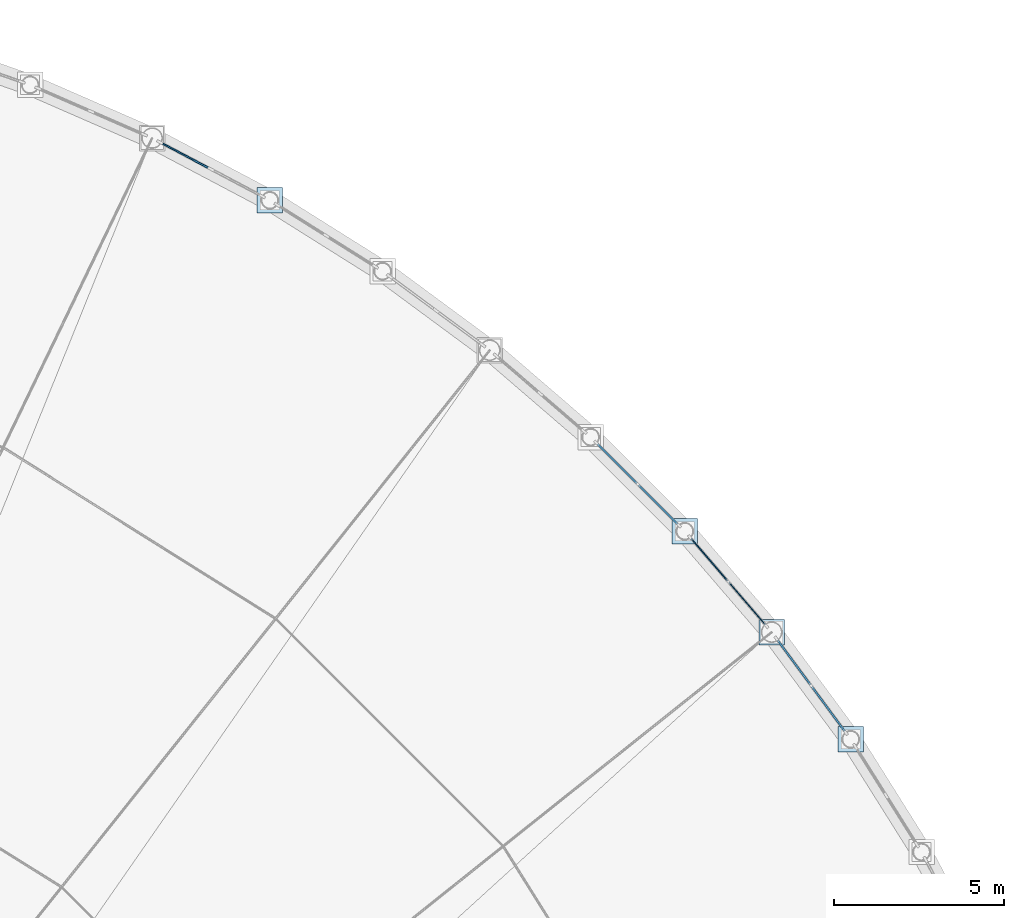
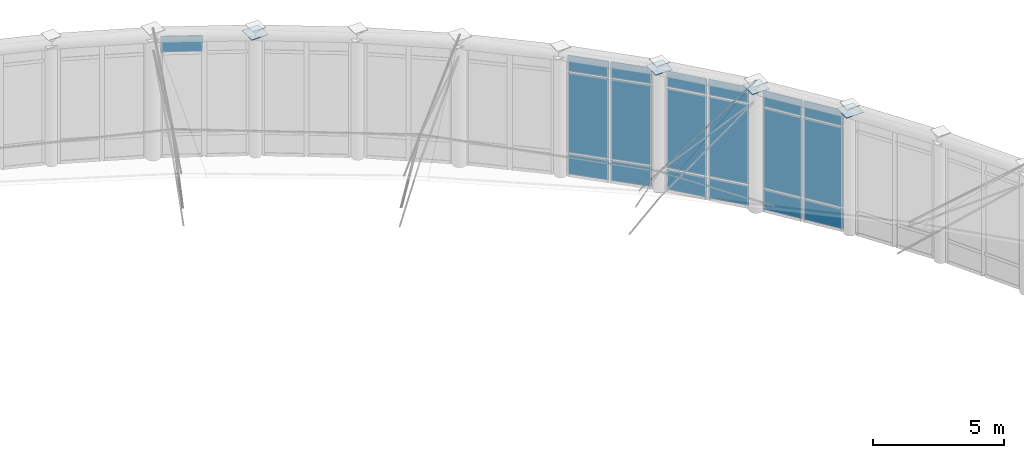
# One storey, part 74 of 101: 23 plates, 4 elements without a shape of their own.
"""IFC4 building model written with IfcOpenShell, lengths in metres."""

from ifc_helpers import new_model, si_unit, direction, frame, origin, origin_2d, place, context, subcontext, project, spatial, rectangle, extrude, material, layer, layer_set, type_object, element, aggregate, save


model = new_model("IFC4")

# Units and contexts
model_context = context("Model", 3, precision=1e-05, world=origin(), true_north=direction((0.0, 1.0)))
body_context = subcontext(model_context, "Body", "Model", "MODEL_VIEW")
ifc_project = project(units=[si_unit("LENGTHUNIT", "METRE"), si_unit("AREAUNIT", "SQUARE_METRE"), si_unit("VOLUMEUNIT", "CUBIC_METRE"), si_unit("PLANEANGLEUNIT", "RADIAN"), si_unit("MASSUNIT", "GRAM", prefix="KILO"), si_unit("THERMODYNAMICTEMPERATUREUNIT", "KELVIN"), si_unit("POWERUNIT", "WATT")], contexts=[model_context])

# Site, building, storey
site_placement = place(None, origin())
site = spatial("IfcSite", under=ifc_project, at=site_placement, CompositionType="ELEMENT")
building_placement = place(site_placement, origin())
building = spatial("IfcBuilding", under=site, at=building_placement, Name="Tembeka Court Mobility Hub", CompositionType="ELEMENT")
storey_placement = place(building_placement, frame((0.0, 0.0, 5.39990234375)))
storey = spatial("IfcBuildingStorey", under=building, at=storey_placement, Name="L01", CompositionType="ELEMENT", Elevation=5.39990234375)

# Curtain wall, plates
ifc_material_1 = material(Name="Anodised aluminium 6063-T6", Category="aluminium")
ifc_layer_1 = layer(ifc_material_1, 0.199951171875)
ifc_layer_set_1 = layer_set([ifc_layer_1], Name="Anodised aluminium 6063-T6")
curtain_wall_type = type_object("IfcCurtainWallType", Name="CW-SYS25", PredefinedType="USERDEFINED", material=ifc_layer_set_1)
curtain_wall_1_placement = place(storey_placement, origin())
curtain_wall_1 = element("IfcCurtainWall", 1, at=curtain_wall_1_placement, inside=storey, type_object=curtain_wall_type, Name="Unitised curtain wall CW25 (CW-L01-062)", ObjectType="UNITISED GLAZING", PredefinedType="USERDEFINED")
ifc_material_2 = material(Name="Laminated solar-control low-E glass", Category="glass")
ifc_layer_2 = layer(ifc_material_2, 0.028076171875)
ifc_layer_set_2 = layer_set([ifc_layer_2], Name="Laminated solar-control low-E glass")
plate_type_1 = type_object("IfcPlateType", Name="PL-CW01", PredefinedType="CURTAIN_PANEL", material=ifc_layer_set_2)
plate_1_placement = place(storey_placement, frame((164.221923828125, 99.874755859375, 0.0751953125), z_axis=(0.0, 0.0, 1.0), x_axis=(-0.652306690707, 0.757955131428, 0.0)))
plate_1 = element("IfcPlate", 2, at=plate_1_placement, type_object=plate_type_1, Name="CW25 panel 1.1", PredefinedType="CURTAIN_PANEL", context=body_context, shape_type="SweptSolid", body=[
    extrude(rectangle(XDim=1.630615234375, YDim=0.028076171875, at=origin_2d()), origin(), (0.0, 0.0, 1.0), 0.9375),
])
plate_2_placement = place(storey_placement, frame((164.221923828125, 99.874755859375, 1.087646484375), z_axis=(0.0, 0.0, 1.0), x_axis=(-0.652306690707, 0.757955131428, 0.0)))
plate_2 = element("IfcPlate", 3, at=plate_2_placement, type_object=plate_type_1, Name="CW25 panel 1.2", PredefinedType="CURTAIN_PANEL", context=body_context, shape_type="SweptSolid", body=[
    extrude(rectangle(XDim=1.630615234375, YDim=0.028076171875, at=origin_2d()), origin(), (0.0, 0.0, 1.0), 3.72509765625),
])
plate_3_placement = place(storey_placement, frame((164.221923828125, 99.874755859375, 4.8876953125), z_axis=(0.0, 0.0, 1.0), x_axis=(-0.652306690707, 0.757955131428, 0.0)))
plate_3 = element("IfcPlate", 4, at=plate_3_placement, type_object=plate_type_1, Name="CW25 panel 1.3", PredefinedType="CURTAIN_PANEL", context=body_context, shape_type="SweptSolid", body=[
    extrude(rectangle(XDim=1.630615234375, YDim=0.028076171875, at=origin_2d()), origin(), (0.0, 0.0, 1.0), 0.737548828125),
])
plate_4_placement = place(storey_placement, frame((163.109375, 101.16748046875, 0.0751953125), z_axis=(0.0, 0.0, 1.0), x_axis=(-0.652306690707, 0.757955131428, 0.0)))
plate_4 = element("IfcPlate", 5, at=plate_4_placement, type_object=plate_type_1, Name="CW25 panel 2.1", PredefinedType="CURTAIN_PANEL", context=body_context, shape_type="SweptSolid", body=[
    extrude(rectangle(XDim=1.630615234375, YDim=0.028076171875, at=origin_2d()), origin(), (0.0, 0.0, 1.0), 0.9375),
])
plate_5_placement = place(storey_placement, frame((163.109375, 101.16748046875, 1.087646484375), z_axis=(0.0, 0.0, 1.0), x_axis=(-0.652306690707, 0.757955131428, 0.0)))
plate_5 = element("IfcPlate", 6, at=plate_5_placement, type_object=plate_type_1, Name="CW25 panel 2.2", PredefinedType="CURTAIN_PANEL", context=body_context, shape_type="SweptSolid", body=[
    extrude(rectangle(XDim=1.630615234375, YDim=0.028076171875, at=origin_2d()), origin(), (0.0, 0.0, 1.0), 3.72509765625),
])
plate_6_placement = place(storey_placement, frame((163.109375, 101.16748046875, 4.8876953125), z_axis=(0.0, 0.0, 1.0), x_axis=(-0.652306690707, 0.757955131428, 0.0)))
plate_6 = element("IfcPlate", 7, at=plate_6_placement, type_object=plate_type_1, Name="CW25 panel 2.3", PredefinedType="CURTAIN_PANEL", context=body_context, shape_type="SweptSolid", body=[
    extrude(rectangle(XDim=1.630615234375, YDim=0.028076171875, at=origin_2d()), origin(), (0.0, 0.0, 1.0), 0.737548828125),
])
aggregate(curtain_wall_1, [plate_1, plate_2, plate_3, plate_4, plate_5, plate_6])

curtain_wall_2_placement = place(storey_placement, origin())
curtain_wall_2 = element("IfcCurtainWall", 8, at=curtain_wall_2_placement, inside=storey, type_object=curtain_wall_type, Name="Unitised curtain wall CW25 (CW-L01-060)", ObjectType="UNITISED GLAZING", PredefinedType="USERDEFINED")
ifc_material_3 = material(Name="Insulated aluminium spandrel panel", Category="aluminium")
ifc_layer_3 = layer(ifc_material_3, 0.052001953125)
ifc_layer_set_3 = layer_set([ifc_layer_3], Name="Insulated aluminium spandrel panel")
plate_type_2 = type_object("IfcPlateType", Name="PL-CW02", PredefinedType="CURTAIN_PANEL", material=ifc_layer_set_3)
plate_7_placement = place(storey_placement, frame((166.6181640625, 96.767578125, 0.0751953125), z_axis=(0.0, 0.0, 1.0), x_axis=(-0.593818252688, 0.804599206298, 0.0)))
plate_7 = element("IfcPlate", 9, at=plate_7_placement, type_object=plate_type_2, Name="CW25 panel 1.1", PredefinedType="CURTAIN_PANEL", context=body_context, shape_type="SweptSolid", body=[
    extrude(rectangle(XDim=1.630615234375, YDim=0.052001953125, at=origin_2d()), origin(), (0.0, 0.0, 1.0), 0.9375),
])
plate_8_placement = place(storey_placement, frame((166.6181640625, 96.767578125, 1.087646484375), z_axis=(0.0, 0.0, 1.0), x_axis=(-0.593818252688, 0.804599206298, 0.0)))
plate_8 = element("IfcPlate", 10, at=plate_8_placement, type_object=plate_type_2, Name="CW25 panel 1.2", PredefinedType="CURTAIN_PANEL", context=body_context, shape_type="SweptSolid", body=[
    extrude(rectangle(XDim=1.630615234375, YDim=0.052001953125, at=origin_2d()), origin(), (0.0, 0.0, 1.0), 3.72509765625),
])
plate_9_placement = place(storey_placement, frame((166.6181640625, 96.767578125, 4.8876953125), z_axis=(0.0, 0.0, 1.0), x_axis=(-0.593818252688, 0.804599206298, 0.0)))
plate_9 = element("IfcPlate", 11, at=plate_9_placement, type_object=plate_type_2, Name="CW25 panel 1.3", PredefinedType="CURTAIN_PANEL", context=body_context, shape_type="SweptSolid", body=[
    extrude(rectangle(XDim=1.630615234375, YDim=0.052001953125, at=origin_2d()), origin(), (0.0, 0.0, 1.0), 0.737548828125),
])
plate_10_placement = place(storey_placement, frame((165.60546875, 98.139892578125, 0.0751953125), z_axis=(0.0, 0.0, 1.0), x_axis=(-0.593818252688, 0.804599206298, 0.0)))
plate_10 = element("IfcPlate", 12, at=plate_10_placement, type_object=plate_type_2, Name="CW25 panel 2.1", PredefinedType="CURTAIN_PANEL", context=body_context, shape_type="SweptSolid", body=[
    extrude(rectangle(XDim=1.630615234375, YDim=0.052001953125, at=origin_2d()), origin(), (0.0, 0.0, 1.0), 0.9375),
])
plate_11_placement = place(storey_placement, frame((165.60546875, 98.139892578125, 1.087646484375), z_axis=(0.0, 0.0, 1.0), x_axis=(-0.593818252688, 0.804599206298, 0.0)))
plate_11 = element("IfcPlate", 13, at=plate_11_placement, type_object=plate_type_2, Name="CW25 panel 2.2", PredefinedType="CURTAIN_PANEL", context=body_context, shape_type="SweptSolid", body=[
    extrude(rectangle(XDim=1.630615234375, YDim=0.052001953125, at=origin_2d()), origin(), (0.0, 0.0, 1.0), 3.72509765625),
])
plate_12_placement = place(storey_placement, frame((165.60546875, 98.139892578125, 4.8876953125), z_axis=(0.0, 0.0, 1.0), x_axis=(-0.593818252688, 0.804599206298, 0.0)))
plate_12 = element("IfcPlate", 14, at=plate_12_placement, type_object=plate_type_2, Name="CW25 panel 2.3", PredefinedType="CURTAIN_PANEL", context=body_context, shape_type="SweptSolid", body=[
    extrude(rectangle(XDim=1.630615234375, YDim=0.052001953125, at=origin_2d()), origin(), (0.0, 0.0, 1.0), 0.737548828125),
])
aggregate(curtain_wall_2, [plate_7, plate_8, plate_9, plate_10, plate_11, plate_12])

curtain_wall_3_placement = place(storey_placement, origin())
curtain_wall_3 = element("IfcCurtainWall", 15, at=curtain_wall_3_placement, inside=storey, type_object=curtain_wall_type, Name="Unitised curtain wall CW25 (CW-L01-064)", ObjectType="UNITISED GLAZING", PredefinedType="USERDEFINED")
plate_13_placement = place(storey_placement, frame((161.60009765625, 102.794189453125, 0.0751953125), z_axis=(0.0, 0.0, 1.0), x_axis=(-0.707106781187, 0.707106781187, 0.0)))
plate_13 = element("IfcPlate", 16, at=plate_13_placement, type_object=plate_type_2, Name="CW25 panel 1.1", PredefinedType="CURTAIN_PANEL", context=body_context, shape_type="SweptSolid", body=[
    extrude(rectangle(XDim=1.63037109375, YDim=0.052001953125, at=origin_2d()), origin(), (0.0, 0.0, 1.0), 0.9375),
])
plate_14_placement = place(storey_placement, frame((161.60009765625, 102.794189453125, 1.087646484375), z_axis=(0.0, 0.0, 1.0), x_axis=(-0.707106781187, 0.707106781187, 0.0)))
plate_14 = element("IfcPlate", 17, at=plate_14_placement, type_object=plate_type_2, Name="CW25 panel 1.2", PredefinedType="CURTAIN_PANEL", context=body_context, shape_type="SweptSolid", body=[
    extrude(rectangle(XDim=1.63037109375, YDim=0.052001953125, at=origin_2d()), origin(), (0.0, 0.0, 1.0), 3.72509765625),
])
plate_15_placement = place(storey_placement, frame((161.60009765625, 102.794189453125, 4.8876953125), z_axis=(0.0, 0.0, 1.0), x_axis=(-0.707106781187, 0.707106781187, 0.0)))
plate_15 = element("IfcPlate", 18, at=plate_15_placement, type_object=plate_type_2, Name="CW25 panel 1.3", PredefinedType="CURTAIN_PANEL", context=body_context, shape_type="SweptSolid", body=[
    extrude(rectangle(XDim=1.63037109375, YDim=0.052001953125, at=origin_2d()), origin(), (0.0, 0.0, 1.0), 0.737548828125),
])
plate_16_placement = place(storey_placement, frame((160.394287109375, 104.0, 0.0751953125), z_axis=(0.0, 0.0, 1.0), x_axis=(-0.707106781187, 0.707106781187, 0.0)))
plate_16 = element("IfcPlate", 19, at=plate_16_placement, type_object=plate_type_2, Name="CW25 panel 2.1", PredefinedType="CURTAIN_PANEL", context=body_context, shape_type="SweptSolid", body=[
    extrude(rectangle(XDim=1.63037109375, YDim=0.052001953125, at=origin_2d()), origin(), (0.0, 0.0, 1.0), 0.9375),
])
plate_17_placement = place(storey_placement, frame((160.394287109375, 104.0, 1.087646484375), z_axis=(0.0, 0.0, 1.0), x_axis=(-0.707106781187, 0.707106781187, 0.0)))
plate_17 = element("IfcPlate", 20, at=plate_17_placement, type_object=plate_type_2, Name="CW25 panel 2.2", PredefinedType="CURTAIN_PANEL", context=body_context, shape_type="SweptSolid", body=[
    extrude(rectangle(XDim=1.63037109375, YDim=0.052001953125, at=origin_2d()), origin(), (0.0, 0.0, 1.0), 3.72509765625),
])
plate_18_placement = place(storey_placement, frame((160.394287109375, 104.0, 4.8876953125), z_axis=(0.0, 0.0, 1.0), x_axis=(-0.707106781187, 0.707106781187, 0.0)))
plate_18 = element("IfcPlate", 21, at=plate_18_placement, type_object=plate_type_2, Name="CW25 panel 2.3", PredefinedType="CURTAIN_PANEL", context=body_context, shape_type="SweptSolid", body=[
    extrude(rectangle(XDim=1.63037109375, YDim=0.052001953125, at=origin_2d()), origin(), (0.0, 0.0, 1.0), 0.737548828125),
])
aggregate(curtain_wall_3, [plate_13, plate_14, plate_15, plate_16, plate_17, plate_18])

# Curtain wall, plate
curtain_wall_4_placement = place(storey_placement, origin())
curtain_wall_4 = element("IfcCurtainWall", 22, at=curtain_wall_4_placement, inside=storey, type_object=curtain_wall_type, Name="Unitised curtain wall CW25 (CW-L01-072)", ObjectType="UNITISED GLAZING", PredefinedType="USERDEFINED")
plate_19_placement = place(storey_placement, frame((147.660400390625, 113.08203125, 4.8876953125), z_axis=(0.0, 0.0, 1.0), x_axis=(-0.884107976202, 0.467282662225, 0.0)))
plate_19 = element("IfcPlate", 23, at=plate_19_placement, type_object=plate_type_2, Name="CW25 panel 2.3", PredefinedType="CURTAIN_PANEL", context=body_context, shape_type="SweptSolid", body=[
    extrude(rectangle(XDim=1.630615234375, YDim=0.052001953125, at=origin_2d()), origin(), (0.0, 0.0, 1.0), 0.737548828125),
])
aggregate(curtain_wall_4, [plate_19])

# Plates
ifc_material_4 = material(Name="Steel S355", Category="steel")
ifc_layer_4 = layer(ifc_material_4, 0.031982421875)
ifc_layer_set_4 = layer_set([ifc_layer_4], Name="Steel S355")
plate_type_3 = type_object("IfcPlateType", Name="PL-NDP01", PredefinedType="USERDEFINED", material=ifc_layer_set_4)
for number, where, z_axis, x_axis, name in (
    (24, (167.277587890625, 95.874267578125, 5.67919921875), (0.0, 0.0, 1.0), (1.0, 0.0, 0.0), "Ring-beam cable anchorage node plate NDP01-09"),
    (25, (164.9462890625, 99.033203125, 5.67919921875), (0.0, 0.0, 1.0), (1.0, 0.0, 0.0), "Ring-beam cable anchorage node plate NDP01-10"),
    (26, (162.38525390625, 102.009033203125, 5.67919921875), (0.0, 0.0, 1.0), (1.0, 0.0, 0.0), "Ring-beam cable anchorage node plate NDP01-11"),
    (27, (150.14990234375, 111.766357421875, 5.67919921875), (0.0, 0.0, 1.0), (1.0, 0.0, 0.0), "Ring-beam cable anchorage node plate NDP01-15"),
):
    element("IfcPlate", number, at=place(storey_placement, frame(where, z_axis=z_axis, x_axis=x_axis)), inside=storey, type_object=plate_type_3, Name=name, ObjectType="GUSSET PLATE", PredefinedType="USERDEFINED", context=body_context, shape_type="SweptSolid", body=[
        extrude(rectangle(XDim=0.75, YDim=0.75, at=origin_2d()), origin(), (0.0, 0.0, 1.0), 0.031982421875),
    ])

save(model, "model.ifc")
